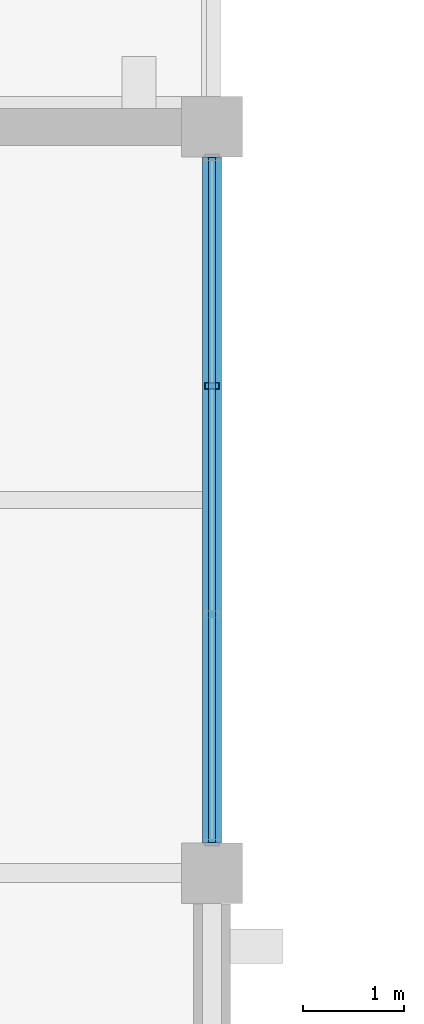
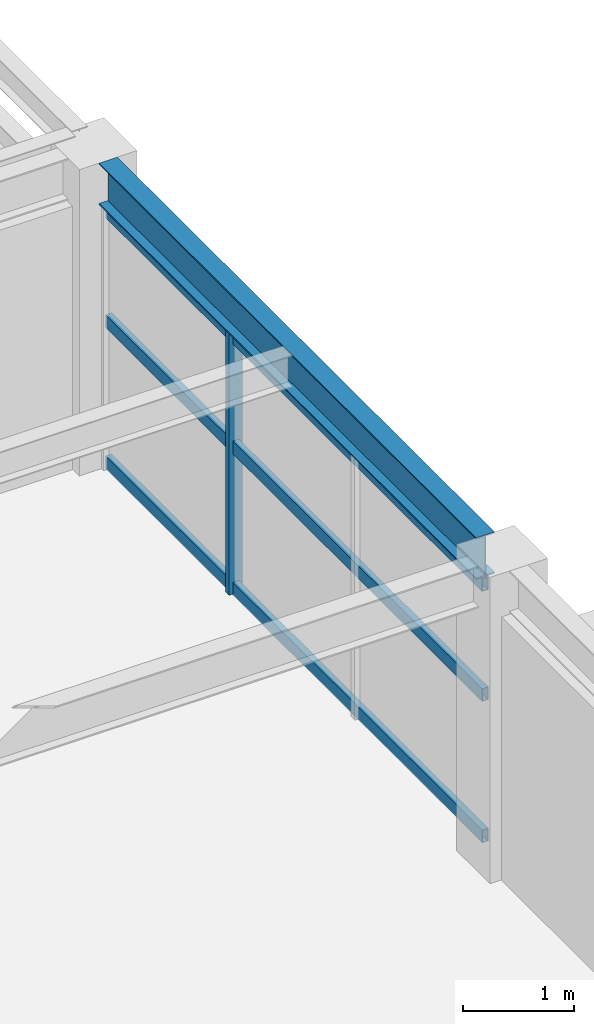
# One storey, part 43 of 121: 4 members, 1 beam, 1 element without a shape of its own.
"""IFC4 building model written with IfcOpenShell, lengths in metres."""

import ifcopenshell
import ifcopenshell.guid

model = None  # the IFC model being written
_history = None  # IfcOwnerHistory: only IFC2X3 demands one
_inside = {}  # id of a spatial element -> (the spatial element, [elements in it])
_under = {}  # id of a project, library or spatial element -> (it, [spatial elements below it])
_declared = {}  # id of a project -> (the project, [libraries it declares])
_typed = {}  # id of a type object -> (the type object, [elements of that type])
_made_of = {}  # id of a material, layer set ... -> (it, [elements and type objects made of it])


def new_model(schema):
    """Start an empty IFC model of exactly this schema.

    Asked for "IFC4X3", IfcOpenShell would pick the latest addendum, in which some entities
    have other attributes; the version numbers below select the first issue.
    IFC2X3 requires an IfcOwnerHistory on every rooted entity: one is made here for all.
    """
    global model, _history
    if schema == "IFC4X3":
        model = ifcopenshell.file(schema_version=(4, 3, 0, 0))
    else:
        model = ifcopenshell.file(schema=schema)
    _inside.clear()
    _under.clear()
    _declared.clear()
    _typed.clear()
    _made_of.clear()
    _history = None
    if model.schema == "IFC2X3":
        org = make("IfcOrganization", Name="unknown")
        user = make(
            "IfcPersonAndOrganization",
            ThePerson=make("IfcPerson", FamilyName="unknown"),
            TheOrganization=org,
        )
        app = make(
            "IfcApplication",
            ApplicationDeveloper=org,
            Version="unknown",
            ApplicationFullName="unknown",
            ApplicationIdentifier="unknown",
        )
        _history = make(
            "IfcOwnerHistory",
            OwningUser=user,
            OwningApplication=app,
            ChangeAction="ADDED",
            CreationDate=0,
        )
    return model


def make(cls, **values):
    """One entity of the class cls with the attributes given. An attribute that is None is left unset."""
    return model.create_entity(
        cls, **{name: value for name, value in values.items() if value is not None}
    )


def rooted(cls, **values):
    """An entity with a GlobalId (a new one), such as an element, a storey or a relation."""
    return make(cls, GlobalId=ifcopenshell.guid.new(), OwnerHistory=_history, **values)


def si_unit(unit_type, name, prefix=None):
    """IfcSIUnit, for example si_unit("LENGTHUNIT", "METRE", prefix="MILLI")."""
    return make("IfcSIUnit", UnitType=unit_type, Prefix=prefix, Name=name)


def assignment(units):
    """IfcUnitAssignment: the units of a project."""
    return None if units is None else make("IfcUnitAssignment", Units=units)


def point(xyz):
    """IfcCartesianPoint."""
    return None if xyz is None else make("IfcCartesianPoint", Coordinates=xyz)


def direction(xyz):
    """IfcDirection."""
    return None if xyz is None else make("IfcDirection", DirectionRatios=xyz)


def frame(location, z_axis=None, x_axis=None):
    """IfcAxis2Placement3D, a coordinate frame: its origin and axes. An axis left out is left unset."""
    return make(
        "IfcAxis2Placement3D",
        Location=point(location),
        Axis=direction(z_axis),
        RefDirection=direction(x_axis),
    )


def frame_2d(location, x_axis=None):
    """IfcAxis2Placement2D, a coordinate frame in the plane: its origin and x axis."""
    return make(
        "IfcAxis2Placement2D", Location=point(location), RefDirection=direction(x_axis)
    )


def origin():
    """The frame at (0, 0, 0) with its axes left unset."""
    return frame((0.0, 0.0, 0.0))


def origin_2d():
    """The frame at (0, 0) in the plane with its x axis left unset."""
    return frame_2d((0.0, 0.0))


def place(relative_to, where):
    """IfcLocalPlacement: puts the frame where relative to a parent placement (None: the world)."""
    return make(
        "IfcLocalPlacement", PlacementRelTo=relative_to, RelativePlacement=where
    )


def context(
    kind, dimensions, precision=None, world=None, true_north=None, identifier=None
):
    """IfcGeometricRepresentationContext, for example the 3D "Model" context."""
    return make(
        "IfcGeometricRepresentationContext",
        ContextIdentifier=identifier,
        ContextType=kind,
        CoordinateSpaceDimension=dimensions,
        Precision=precision,
        WorldCoordinateSystem=world,
        TrueNorth=true_north,
    )


def subcontext(parent, identifier, kind, view, scale=None):
    """IfcGeometricRepresentationSubContext, for example "Body" below "Model"."""
    return make(
        "IfcGeometricRepresentationSubContext",
        ContextIdentifier=identifier,
        ContextType=kind,
        ParentContext=parent,
        TargetScale=scale,
        TargetView=view,
    )


def project(units=None, contexts=None):
    """IfcProject with its units and contexts."""
    return rooted(
        "IfcProject",
        Name="project",
        RepresentationContexts=contexts,
        UnitsInContext=assignment(units),
    )


def spatial(cls, under=None, at=None, **own):
    """A site, building, storey or space (cls), placed at a placement, below another one or the project."""
    s = rooted(cls, ObjectPlacement=at, **own)
    if under is not None:
        _under.setdefault(under.id(), (under, []))[1].append(s)
    return s


def profile(cls, at=None, kind="AREA", **sizes):
    """A parametric profile (cls). Its sizes go by their IFC names, for example OverallWidth=200.0."""
    return make(cls, ProfileType=kind, Position=at, **sizes)


def hollow_rectangle(**sizes):
    """IfcRectangleHollowProfileDef."""
    return profile("IfcRectangleHollowProfileDef", **sizes)


def i_section(**sizes):
    """IfcIShapeProfileDef."""
    return profile("IfcIShapeProfileDef", **sizes)


def extrude(swept, where, along, depth):
    """IfcExtrudedAreaSolid: the profile swept, set in the frame where, extruded along a direction by depth."""
    return make(
        "IfcExtrudedAreaSolid",
        SweptArea=swept,
        Position=where,
        ExtrudedDirection=direction(along),
        Depth=depth,
    )


def shape(context_of_items, identifier, shape_type, items):
    """IfcShapeRepresentation: the items that make up one representation, for example the "Body"."""
    return make(
        "IfcShapeRepresentation",
        ContextOfItems=context_of_items,
        RepresentationIdentifier=identifier,
        RepresentationType=shape_type,
        Items=items,
    )


def material(Name=None, Category=None):
    """IfcMaterial."""
    return make("IfcMaterial", Name=Name, Category=Category)


def material_profile(
    of_material, cross_section, Name=None, Category=None, Priority=None
):
    """IfcMaterialProfile: a cross section and its material."""
    return make(
        "IfcMaterialProfile",
        Name=Name,
        Material=of_material,
        Profile=cross_section,
        Priority=Priority,
        Category=Category,
    )


def profile_set(profiles, Name=None, composite=None):
    """IfcMaterialProfileSet."""
    return make(
        "IfcMaterialProfileSet",
        Name=Name,
        MaterialProfiles=profiles,
        CompositeProfile=composite,
    )


def made_of(thing, what):
    """Note that an element or type object is made of a material, layer set ...; save() writes the relation."""
    if what is not None:
        _made_of.setdefault(what.id(), (what, []))[1].append(thing)
    return thing


def type_object(cls, material=None, **own):
    """A type object (cls), such as IfcWallType, which elements share."""
    return made_of(rooted(cls, **own), material)


def element(
    cls,
    number,
    at=None,
    inside=None,
    cuts=None,
    type_object=None,
    material=None,
    context=None,
    identifier="Body",
    shape_type=None,
    held_by="IfcProductDefinitionShape",
    body=None,
    shapes=None,
    **own,
):
    """One element of the class cls, such as IfcWall. Its Tag is "e" and its number.

    at: its placement. inside: the storey or other place that contains it. cuts: it is an
    opening in that element (IfcRelVoidsElement). A single representation is given by context,
    identifier, shape_type and body (its items); several are given by shapes. held_by: the class
    of the entity that holds the representations. save() writes the other relations.
    """
    e = rooted(cls, Tag="e%d" % number, ObjectPlacement=at, **own)
    if body is not None:
        shapes = [shape(context, identifier, shape_type, body)]
    if shapes is not None:
        e.Representation = make(held_by, Representations=shapes)
    if inside is not None:
        _inside.setdefault(inside.id(), (inside, []))[1].append(e)
    if cuts is not None:
        rooted(
            "IfcRelVoidsElement", RelatingBuildingElement=cuts, RelatedOpeningElement=e
        )
    if type_object is not None:
        _typed.setdefault(type_object.id(), (type_object, []))[1].append(e)
    return made_of(e, material)


def aggregate(whole, parts):
    """IfcRelAggregates: a whole, such as a stair, and the parts it consists of."""
    return rooted("IfcRelAggregates", RelatingObject=whole, RelatedObjects=parts)


def save(model, path):
    """Write the relations noted so far, then the file.

    IfcRelAggregates (storeys below a building ...), IfcRelContainedInSpatialStructure (elements
    in a storey), IfcRelDefinesByType, IfcRelAssociatesMaterial and IfcRelDeclares: one each for
    every whole, place, type object, material and project.
    """
    for whole, parts in _under.values():
        aggregate(whole, parts)
    for where, things in _inside.values():
        rooted(
            "IfcRelContainedInSpatialStructure",
            RelatedElements=things,
            RelatingStructure=where,
        )
    for kind, things in _typed.values():
        rooted("IfcRelDefinesByType", RelatedObjects=things, RelatingType=kind)
    for what, things in _made_of.values():
        rooted("IfcRelAssociatesMaterial", RelatedObjects=things, RelatingMaterial=what)
    for by, libraries in _declared.values():
        rooted("IfcRelDeclares", RelatingContext=by, RelatedDefinitions=libraries)
    model.write(path)


model = new_model("IFC4")

# Units and contexts
model_context = context("Model", 3, precision=1e-05, world=origin(), true_north=direction((0.0, 1.0)))
body_context = subcontext(model_context, "Body", "Model", "MODEL_VIEW")
ifc_project = project(units=[si_unit("LENGTHUNIT", "METRE"), si_unit("AREAUNIT", "SQUARE_METRE"), si_unit("VOLUMEUNIT", "CUBIC_METRE"), si_unit("PLANEANGLEUNIT", "RADIAN"), si_unit("MASSUNIT", "GRAM", prefix="KILO")], contexts=[model_context])

# Site, building, storey
site_placement = place(None, origin())
site = spatial("IfcSite", under=ifc_project, at=site_placement, CompositionType="ELEMENT")
building_placement = place(site_placement, origin())
building = spatial("IfcBuilding", under=site, at=building_placement, Name="Cimatlan Art Gallery", CompositionType="ELEMENT")
storey_placement = place(building_placement, frame((0.0, 0.0, 10.199951171875)))
storey = spatial("IfcBuildingStorey", under=building, at=storey_placement, Name="L02", CompositionType="ELEMENT", Elevation=10.199951171875)

# Beam
ifc_material_1 = material(Name="Steel ASTM A992 Grade 50", Category="steel")
ifc_material_profile_1 = material_profile(ifc_material_1, i_section(OverallWidth=0.19091796875, OverallDepth=0.45703125, WebThickness=0.009033203125, FlangeThickness=0.014404296875, at=origin_2d()), Name="W18X50")
ifc_profile_set_1 = profile_set([ifc_material_profile_1], Name="Steel ASTM A992 Grade 50")
beam_type = type_object("IfcBeamType", Name="BM-STL-W18X50", PredefinedType="BEAM", material=ifc_profile_set_1)
beam_placement = place(storey_placement, frame((18.199951171875, 76.0, 3.1416015625), z_axis=(0.0, 1.0, 0.0), x_axis=(-1.0, 0.0, 0.0)))
element("IfcBeam", 1, at=beam_placement, inside=storey, type_object=beam_type, Name="BM-Y-L02-02-10", PredefinedType="BEAM", context=body_context, shape_type="SweptSolid", body=[
    extrude(i_section(OverallWidth=0.19091796875, OverallDepth=0.45703125, WebThickness=0.009033203125, FlangeThickness=0.014404296875, at=origin_2d()), origin(), (0.0, 0.0, 1.0), 6.800048828125),
])

# Curtain wall, members
ifc_material_2 = material(Name="Anodised bronze unitised curtain wall")
curtain_wall_type = type_object("IfcCurtainWallType", Name="CW-V-06792X02883-B3", PredefinedType="NOTDEFINED", material=ifc_material_2)
curtain_wall_placement = place(storey_placement, origin())
curtain_wall = element("IfcCurtainWall", 2, at=curtain_wall_placement, inside=storey, type_object=curtain_wall_type, Name="CW-L02-01-10-E", PredefinedType="NOTDEFINED")
ifc_material_3 = material(Name="Anodised bronze aluminium 6063-T6", Category="aluminium")
ifc_material_profile_2 = material_profile(ifc_material_3, hollow_rectangle(XDim=0.06494140625, YDim=0.139892578125, WallThickness=0.00390625, at=origin_2d()), Name="ALU65X140X4")
ifc_profile_set_2 = profile_set([ifc_material_profile_2], Name="Anodised bronze aluminium 6063-T6")
member_type_1 = type_object("IfcMemberType", Name="CW-MUL-140", PredefinedType="MULLION", material=ifc_profile_set_2)
member_1_placement = place(storey_placement, frame((18.199951171875, 80.531982421875, 0.0), z_axis=(0.0, 0.0, 1.0), x_axis=(0.0, 1.0, 0.0)))
member_1 = element("IfcMember", 3, at=member_1_placement, type_object=member_type_1, Name="CW-L02-01-10-E-M2", PredefinedType="MULLION", context=body_context, shape_type="SweptSolid", body=[
    extrude(hollow_rectangle(XDim=0.06494140625, YDim=0.139892578125, WallThickness=0.00390625, at=origin_2d()), origin(), (0.0, 0.0, 1.0), 2.883056640625),
])
ifc_material_profile_3 = material_profile(ifc_material_3, hollow_rectangle(XDim=0.06494140625, YDim=0.139892578125, WallThickness=0.00390625, at=origin_2d()), Name="ALU65X140X4")
ifc_profile_set_3 = profile_set([ifc_material_profile_3], Name="Anodised bronze aluminium 6063-T6")
member_type_2 = type_object("IfcMemberType", Name="CW-TRN-140", PredefinedType="USERDEFINED", material=ifc_profile_set_3)
member_2_placement = place(storey_placement, frame((18.199951171875, 82.7958984375, 0.06005859375), z_axis=(0.0, -1.0, 0.0), x_axis=(1.0, 0.0, 0.0)))
member_2 = element("IfcMember", 4, at=member_2_placement, type_object=member_type_2, Name="CW-L02-01-10-E-T1", ObjectType="TRANSOM", PredefinedType="USERDEFINED", context=body_context, shape_type="SweptSolid", body=[
    extrude(hollow_rectangle(XDim=0.06494140625, YDim=0.139892578125, WallThickness=0.00390625, at=origin_2d()), origin(), (0.0, 0.0, 1.0), 6.7919921875),
])
member_3_placement = place(storey_placement, frame((18.199951171875, 82.7958984375, 1.614501953125), z_axis=(0.0, -1.0, 0.0), x_axis=(1.0, 0.0, 0.0)))
member_3 = element("IfcMember", 5, at=member_3_placement, type_object=member_type_2, Name="CW-L02-01-10-E-T2", ObjectType="TRANSOM", PredefinedType="USERDEFINED", context=body_context, shape_type="SweptSolid", body=[
    extrude(hollow_rectangle(XDim=0.06494140625, YDim=0.139892578125, WallThickness=0.00390625, at=origin_2d()), origin(), (0.0, 0.0, 1.0), 6.7919921875),
])
member_4_placement = place(storey_placement, frame((18.199951171875, 82.7958984375, 2.822998046875), z_axis=(0.0, -1.0, 0.0), x_axis=(1.0, 0.0, 0.0)))
member_4 = element("IfcMember", 6, at=member_4_placement, type_object=member_type_2, Name="CW-L02-01-10-E-T3", ObjectType="TRANSOM", PredefinedType="USERDEFINED", context=body_context, shape_type="SweptSolid", body=[
    extrude(hollow_rectangle(XDim=0.06494140625, YDim=0.139892578125, WallThickness=0.00390625, at=origin_2d()), origin(), (0.0, 0.0, 1.0), 6.7919921875),
])
aggregate(curtain_wall, [member_1, member_2, member_3, member_4])

save(model, "model.ifc")
